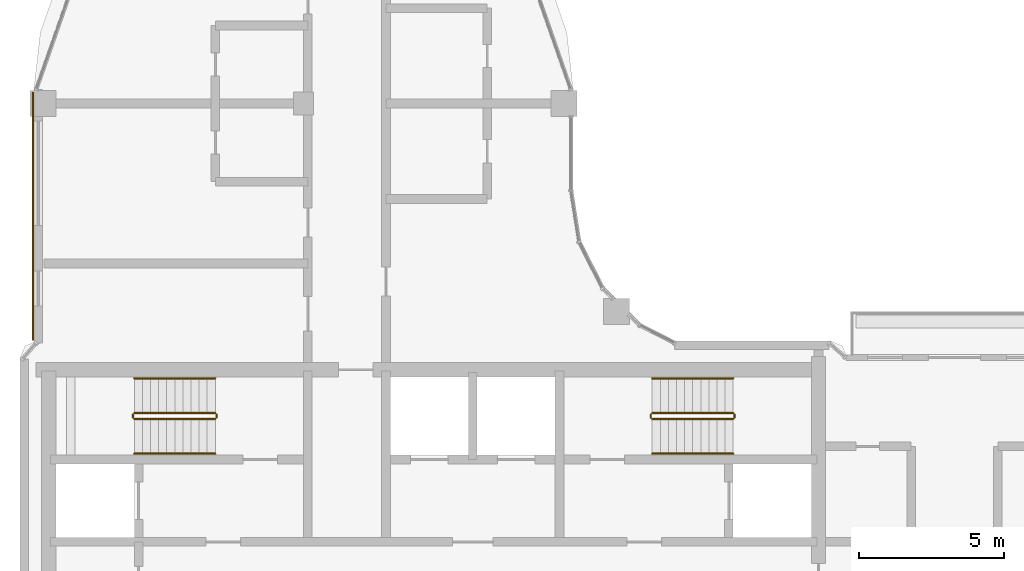
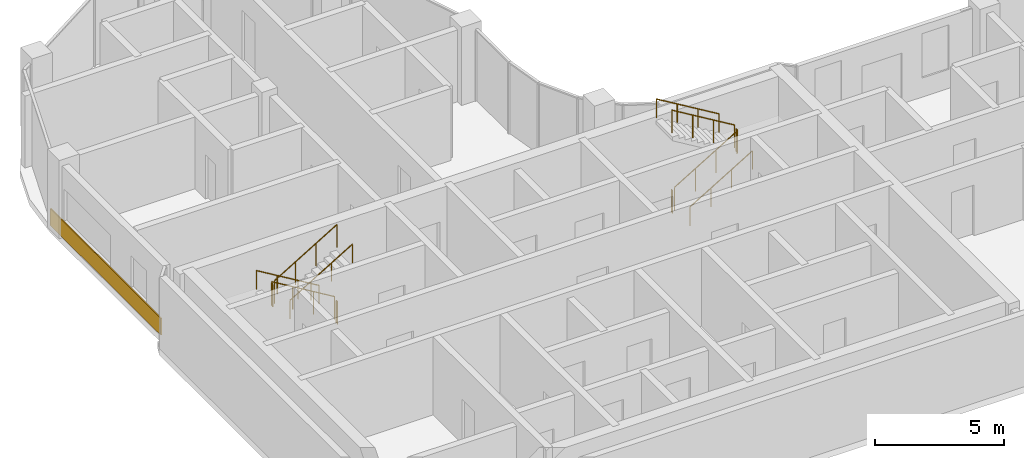
# One storey, part 16 of 19: 12 railings, 1 covering.
"""IFC4 building model written with IfcOpenShell, lengths in metres."""

import ifcopenshell
import ifcopenshell.guid

model = None  # the IFC model being written
_history = None  # IfcOwnerHistory: only IFC2X3 demands one
_inside = {}  # id of a spatial element -> (the spatial element, [elements in it])
_under = {}  # id of a project, library or spatial element -> (it, [spatial elements below it])
_declared = {}  # id of a project -> (the project, [libraries it declares])
_typed = {}  # id of a type object -> (the type object, [elements of that type])
_made_of = {}  # id of a material, layer set ... -> (it, [elements and type objects made of it])


def new_model(schema):
    """Start an empty IFC model of exactly this schema.

    Asked for "IFC4X3", IfcOpenShell would pick the latest addendum, in which some entities
    have other attributes; the version numbers below select the first issue.
    IFC2X3 requires an IfcOwnerHistory on every rooted entity: one is made here for all.
    """
    global model, _history
    if schema == "IFC4X3":
        model = ifcopenshell.file(schema_version=(4, 3, 0, 0))
    else:
        model = ifcopenshell.file(schema=schema)
    _inside.clear()
    _under.clear()
    _declared.clear()
    _typed.clear()
    _made_of.clear()
    _history = None
    if model.schema == "IFC2X3":
        org = make("IfcOrganization", Name="unknown")
        user = make(
            "IfcPersonAndOrganization",
            ThePerson=make("IfcPerson", FamilyName="unknown"),
            TheOrganization=org,
        )
        app = make(
            "IfcApplication",
            ApplicationDeveloper=org,
            Version="unknown",
            ApplicationFullName="unknown",
            ApplicationIdentifier="unknown",
        )
        _history = make(
            "IfcOwnerHistory",
            OwningUser=user,
            OwningApplication=app,
            ChangeAction="ADDED",
            CreationDate=0,
        )
    return model


def make(cls, **values):
    """One entity of the class cls with the attributes given. An attribute that is None is left unset."""
    return model.create_entity(
        cls, **{name: value for name, value in values.items() if value is not None}
    )


def rooted(cls, **values):
    """An entity with a GlobalId (a new one), such as an element, a storey or a relation."""
    return make(cls, GlobalId=ifcopenshell.guid.new(), OwnerHistory=_history, **values)


def si_unit(unit_type, name, prefix=None):
    """IfcSIUnit, for example si_unit("LENGTHUNIT", "METRE", prefix="MILLI")."""
    return make("IfcSIUnit", UnitType=unit_type, Prefix=prefix, Name=name)


def assignment(units):
    """IfcUnitAssignment: the units of a project."""
    return None if units is None else make("IfcUnitAssignment", Units=units)


def point(xyz):
    """IfcCartesianPoint."""
    return None if xyz is None else make("IfcCartesianPoint", Coordinates=xyz)


def direction(xyz):
    """IfcDirection."""
    return None if xyz is None else make("IfcDirection", DirectionRatios=xyz)


def frame(location, z_axis=None, x_axis=None):
    """IfcAxis2Placement3D, a coordinate frame: its origin and axes. An axis left out is left unset."""
    return make(
        "IfcAxis2Placement3D",
        Location=point(location),
        Axis=direction(z_axis),
        RefDirection=direction(x_axis),
    )


def frame_2d(location, x_axis=None):
    """IfcAxis2Placement2D, a coordinate frame in the plane: its origin and x axis."""
    return make(
        "IfcAxis2Placement2D", Location=point(location), RefDirection=direction(x_axis)
    )


def origin():
    """The frame at (0, 0, 0) with its axes left unset."""
    return frame((0.0, 0.0, 0.0))


def origin_2d():
    """The frame at (0, 0) in the plane with its x axis left unset."""
    return frame_2d((0.0, 0.0))


def place(relative_to, where):
    """IfcLocalPlacement: puts the frame where relative to a parent placement (None: the world)."""
    return make(
        "IfcLocalPlacement", PlacementRelTo=relative_to, RelativePlacement=where
    )


def context(
    kind, dimensions, precision=None, world=None, true_north=None, identifier=None
):
    """IfcGeometricRepresentationContext, for example the 3D "Model" context."""
    return make(
        "IfcGeometricRepresentationContext",
        ContextIdentifier=identifier,
        ContextType=kind,
        CoordinateSpaceDimension=dimensions,
        Precision=precision,
        WorldCoordinateSystem=world,
        TrueNorth=true_north,
    )


def subcontext(parent, identifier, kind, view, scale=None):
    """IfcGeometricRepresentationSubContext, for example "Body" below "Model"."""
    return make(
        "IfcGeometricRepresentationSubContext",
        ContextIdentifier=identifier,
        ContextType=kind,
        ParentContext=parent,
        TargetScale=scale,
        TargetView=view,
    )


def project(units=None, contexts=None):
    """IfcProject with its units and contexts."""
    return rooted(
        "IfcProject",
        Name="project",
        RepresentationContexts=contexts,
        UnitsInContext=assignment(units),
    )


def spatial(cls, under=None, at=None, **own):
    """A site, building, storey or space (cls), placed at a placement, below another one or the project."""
    s = rooted(cls, ObjectPlacement=at, **own)
    if under is not None:
        _under.setdefault(under.id(), (under, []))[1].append(s)
    return s


def profile(cls, at=None, kind="AREA", **sizes):
    """A parametric profile (cls). Its sizes go by their IFC names, for example OverallWidth=200.0."""
    return make(cls, ProfileType=kind, Position=at, **sizes)


def rectangle(**sizes):
    """IfcRectangleProfileDef."""
    return profile("IfcRectangleProfileDef", **sizes)


def circle(**sizes):
    """IfcCircleProfileDef."""
    return profile("IfcCircleProfileDef", **sizes)


def extrude(swept, where, along, depth):
    """IfcExtrudedAreaSolid: the profile swept, set in the frame where, extruded along a direction by depth."""
    return make(
        "IfcExtrudedAreaSolid",
        SweptArea=swept,
        Position=where,
        ExtrudedDirection=direction(along),
        Depth=depth,
    )


def shape(context_of_items, identifier, shape_type, items):
    """IfcShapeRepresentation: the items that make up one representation, for example the "Body"."""
    return make(
        "IfcShapeRepresentation",
        ContextOfItems=context_of_items,
        RepresentationIdentifier=identifier,
        RepresentationType=shape_type,
        Items=items,
    )


def material(Name=None, Category=None):
    """IfcMaterial."""
    return make("IfcMaterial", Name=Name, Category=Category)


def layer(
    of_material, thickness, ventilated=None, Name=None, Category=None, Priority=None
):
    """IfcMaterialLayer: one layer of a wall or slab, of a material (None: an air gap)."""
    return make(
        "IfcMaterialLayer",
        Material=of_material,
        LayerThickness=thickness,
        IsVentilated=ventilated,
        Name=Name,
        Category=Category,
        Priority=Priority,
    )


def layer_set(layers, Name=None):
    """IfcMaterialLayerSet."""
    return make("IfcMaterialLayerSet", MaterialLayers=layers, LayerSetName=Name)


def made_of(thing, what):
    """Note that an element or type object is made of a material, layer set ...; save() writes the relation."""
    if what is not None:
        _made_of.setdefault(what.id(), (what, []))[1].append(thing)
    return thing


def type_object(cls, material=None, **own):
    """A type object (cls), such as IfcWallType, which elements share."""
    return made_of(rooted(cls, **own), material)


def element(
    cls,
    number,
    at=None,
    inside=None,
    cuts=None,
    type_object=None,
    material=None,
    context=None,
    identifier="Body",
    shape_type=None,
    held_by="IfcProductDefinitionShape",
    body=None,
    shapes=None,
    **own,
):
    """One element of the class cls, such as IfcWall. Its Tag is "e" and its number.

    at: its placement. inside: the storey or other place that contains it. cuts: it is an
    opening in that element (IfcRelVoidsElement). A single representation is given by context,
    identifier, shape_type and body (its items); several are given by shapes. held_by: the class
    of the entity that holds the representations. save() writes the other relations.
    """
    e = rooted(cls, Tag="e%d" % number, ObjectPlacement=at, **own)
    if body is not None:
        shapes = [shape(context, identifier, shape_type, body)]
    if shapes is not None:
        e.Representation = make(held_by, Representations=shapes)
    if inside is not None:
        _inside.setdefault(inside.id(), (inside, []))[1].append(e)
    if cuts is not None:
        rooted(
            "IfcRelVoidsElement", RelatingBuildingElement=cuts, RelatedOpeningElement=e
        )
    if type_object is not None:
        _typed.setdefault(type_object.id(), (type_object, []))[1].append(e)
    return made_of(e, material)


def aggregate(whole, parts):
    """IfcRelAggregates: a whole, such as a stair, and the parts it consists of."""
    return rooted("IfcRelAggregates", RelatingObject=whole, RelatedObjects=parts)


def save(model, path):
    """Write the relations noted so far, then the file.

    IfcRelAggregates (storeys below a building ...), IfcRelContainedInSpatialStructure (elements
    in a storey), IfcRelDefinesByType, IfcRelAssociatesMaterial and IfcRelDeclares: one each for
    every whole, place, type object, material and project.
    """
    for whole, parts in _under.values():
        aggregate(whole, parts)
    for where, things in _inside.values():
        rooted(
            "IfcRelContainedInSpatialStructure",
            RelatedElements=things,
            RelatingStructure=where,
        )
    for kind, things in _typed.values():
        rooted("IfcRelDefinesByType", RelatedObjects=things, RelatingType=kind)
    for what, things in _made_of.values():
        rooted("IfcRelAssociatesMaterial", RelatedObjects=things, RelatingMaterial=what)
    for by, libraries in _declared.values():
        rooted("IfcRelDeclares", RelatingContext=by, RelatedDefinitions=libraries)
    model.write(path)


model = new_model("IFC4")

# Units and contexts
model_context = context("Model", 3, precision=1e-05, world=origin(), true_north=direction((0.0, 1.0)))
body_context = subcontext(model_context, "Body", "Model", "MODEL_VIEW")
ifc_project = project(units=[si_unit("LENGTHUNIT", "METRE"), si_unit("AREAUNIT", "SQUARE_METRE"), si_unit("VOLUMEUNIT", "CUBIC_METRE"), si_unit("PLANEANGLEUNIT", "RADIAN"), si_unit("MASSUNIT", "GRAM", prefix="KILO")], contexts=[model_context])

# Site, building, storey
site_placement = place(None, origin())
site = spatial("IfcSite", under=ifc_project, at=site_placement, CompositionType="ELEMENT")
building_placement = place(site_placement, origin())
building = spatial("IfcBuilding", under=site, at=building_placement, Name="Ogive Portal Towers", CompositionType="ELEMENT")
storey_placement = place(building_placement, frame((0.0, 0.0, 218.0)))
storey = spatial("IfcBuildingStorey", under=building, at=storey_placement, Name="L54", CompositionType="ELEMENT", Elevation=218.0)

# Railings
ifc_material_1 = material(Name="Stainless steel balustrade", Category="steel")
railing_type_1 = type_object("IfcRailingType", Name="INT-GUARD", PredefinedType="GUARDRAIL", material=ifc_material_1)
railing_1_placement = place(storey_placement, frame((37.449951171875, 37.800048828125, 0.168212890625)))
element("IfcRailing", 1, at=railing_1_placement, inside=storey, type_object=railing_type_1, Name="L54 ST-A1 stair guard 1", PredefinedType="GUARDRAIL", context=body_context, shape_type="SweptSolid", body=[
    extrude(circle(Radius=0.02392578125, at=origin_2d()), frame((0.0, 0.0, 1.076171875), z_axis=(-0.857242210791, 0.0, 0.514913383045), x_axis=(0.0, -1.0, 0.0)), (0.0, 0.0, 1.0), 3.266357421875),
    extrude(circle(Radius=0.02099609375, at=origin_2d()), origin(), (0.0, 0.0, 1.0), 1.052001953125),
    extrude(circle(Radius=0.02099609375, at=origin_2d()), frame((-0.933349609375, 0.0, 0.560546875)), (0.0, 0.0, 1.0), 1.052001953125),
    extrude(circle(Radius=0.02099609375, at=origin_2d()), frame((-1.86669921875, 0.0, 1.121337890625)), (0.0, 0.0, 1.0), 1.052001953125),
    extrude(circle(Radius=0.02099609375, at=origin_2d()), frame((-2.800048828125, 0.0, 1.681884765625)), (0.0, 0.0, 1.0), 1.052001953125),
])
railing_2_placement = place(storey_placement, frame((34.60009765625, 37.75, 1.85009765625)))
element("IfcRailing", 2, at=railing_2_placement, inside=storey, type_object=railing_type_1, Name="L54 ST-A1 stair guard 2", PredefinedType="GUARDRAIL", context=body_context, shape_type="SweptSolid", body=[
    extrude(circle(Radius=0.02392578125, at=origin_2d()), frame((0.0, 0.0, 1.076171875), z_axis=(0.0, -1.0, 0.0), x_axis=(1.0, 0.0, 0.0)), (0.0, 0.0, 1.0), 0.10009765625),
    extrude(circle(Radius=0.02099609375, at=origin_2d()), origin(), (0.0, 0.0, 1.0), 1.052001953125),
    extrude(circle(Radius=0.02099609375, at=origin_2d()), frame((0.0, -0.10009765625, 0.0)), (0.0, 0.0, 1.0), 1.052001953125),
])
railing_3_placement = place(storey_placement, frame((34.64990234375, 37.60009765625, 2.01806640625)))
element("IfcRailing", 3, at=railing_3_placement, inside=storey, type_object=railing_type_1, Name="L54 ST-A1 stair guard 3", PredefinedType="GUARDRAIL", context=body_context, shape_type="SweptSolid", body=[
    extrude(circle(Radius=0.02392578125, at=origin_2d()), frame((0.0, 0.0, 1.076171875), z_axis=(0.857242210791, 0.0, 0.514913383045), x_axis=(0.0, 1.0, 0.0)), (0.0, 0.0, 1.0), 3.266357421875),
    extrude(circle(Radius=0.02099609375, at=origin_2d()), origin(), (0.0, 0.0, 1.0), 1.052001953125),
    extrude(circle(Radius=0.02099609375, at=origin_2d()), frame((0.933349609375, 0.0, 0.560546875)), (0.0, 0.0, 1.0), 1.052001953125),
    extrude(circle(Radius=0.02099609375, at=origin_2d()), frame((1.86669921875, 0.0, 1.121337890625)), (0.0, 0.0, 1.0), 1.052001953125),
    extrude(circle(Radius=0.02099609375, at=origin_2d()), frame((2.800048828125, 0.0, 1.681884765625)), (0.0, 0.0, 1.0), 1.052001953125),
])
railing_4_placement = place(storey_placement, frame((37.5, 37.75, 0.0)))
element("IfcRailing", 4, at=railing_4_placement, inside=storey, type_object=railing_type_1, Name="L54 ST-A1 stair guard 4", PredefinedType="GUARDRAIL", context=body_context, shape_type="SweptSolid", body=[
    extrude(circle(Radius=0.02392578125, at=origin_2d()), frame((0.0, 0.0, 1.076171875), z_axis=(0.0, -1.0, 0.0), x_axis=(1.0, 0.0, 0.0)), (0.0, 0.0, 1.0), 0.10009765625),
    extrude(circle(Radius=0.02099609375, at=origin_2d()), origin(), (0.0, 0.0, 1.0), 1.052001953125),
    extrude(circle(Radius=0.02099609375, at=origin_2d()), frame((0.0, -0.10009765625, 0.0)), (0.0, 0.0, 1.0), 1.052001953125),
])
railing_5_placement = place(storey_placement, frame((52.550048828125, 37.60009765625, 0.168212890625)))
element("IfcRailing", 5, at=railing_5_placement, inside=storey, type_object=railing_type_1, Name="L54 ST-A2 stair guard 1", PredefinedType="GUARDRAIL", context=body_context, shape_type="SweptSolid", body=[
    extrude(circle(Radius=0.02392578125, at=origin_2d()), frame((0.0, 0.0, 1.076171875), z_axis=(0.857242210791, 0.0, 0.514913383045), x_axis=(0.0, 1.0, 0.0)), (0.0, 0.0, 1.0), 3.266357421875),
    extrude(circle(Radius=0.02099609375, at=origin_2d()), origin(), (0.0, 0.0, 1.0), 1.052001953125),
    extrude(circle(Radius=0.02099609375, at=origin_2d()), frame((0.933349609375, 0.0, 0.560546875)), (0.0, 0.0, 1.0), 1.052001953125),
    extrude(circle(Radius=0.02099609375, at=origin_2d()), frame((1.86669921875, 0.0, 1.121337890625)), (0.0, 0.0, 1.0), 1.052001953125),
    extrude(circle(Radius=0.02099609375, at=origin_2d()), frame((2.800048828125, 0.0, 1.681884765625)), (0.0, 0.0, 1.0), 1.052001953125),
])
railing_6_placement = place(storey_placement, frame((55.39990234375, 37.64990234375, 1.85009765625)))
element("IfcRailing", 6, at=railing_6_placement, inside=storey, type_object=railing_type_1, Name="L54 ST-A2 stair guard 2", PredefinedType="GUARDRAIL", context=body_context, shape_type="SweptSolid", body=[
    extrude(circle(Radius=0.02392578125, at=origin_2d()), frame((0.0, 0.0, 1.076171875), z_axis=(0.0, 1.0, 0.0), x_axis=(-1.0, 0.0, 0.0)), (0.0, 0.0, 1.0), 0.10009765625),
    extrude(circle(Radius=0.02099609375, at=origin_2d()), origin(), (0.0, 0.0, 1.0), 1.052001953125),
    extrude(circle(Radius=0.02099609375, at=origin_2d()), frame((0.0, 0.10009765625, 0.0)), (0.0, 0.0, 1.0), 1.052001953125),
])
railing_7_placement = place(storey_placement, frame((55.35009765625, 37.800048828125, 2.01806640625)))
element("IfcRailing", 7, at=railing_7_placement, inside=storey, type_object=railing_type_1, Name="L54 ST-A2 stair guard 3", PredefinedType="GUARDRAIL", context=body_context, shape_type="SweptSolid", body=[
    extrude(circle(Radius=0.02392578125, at=origin_2d()), frame((0.0, 0.0, 1.076171875), z_axis=(-0.857242210791, 0.0, 0.514913383045), x_axis=(0.0, -1.0, 0.0)), (0.0, 0.0, 1.0), 3.266357421875),
    extrude(circle(Radius=0.02099609375, at=origin_2d()), origin(), (0.0, 0.0, 1.0), 1.052001953125),
    extrude(circle(Radius=0.02099609375, at=origin_2d()), frame((-0.933349609375, 0.0, 0.560546875)), (0.0, 0.0, 1.0), 1.052001953125),
    extrude(circle(Radius=0.02099609375, at=origin_2d()), frame((-1.86669921875, 0.0, 1.121337890625)), (0.0, 0.0, 1.0), 1.052001953125),
    extrude(circle(Radius=0.02099609375, at=origin_2d()), frame((-2.800048828125, 0.0, 1.681884765625)), (0.0, 0.0, 1.0), 1.052001953125),
])
railing_8_placement = place(storey_placement, frame((52.5, 37.64990234375, 0.0)))
element("IfcRailing", 8, at=railing_8_placement, inside=storey, type_object=railing_type_1, Name="L54 ST-A2 stair guard 4", PredefinedType="GUARDRAIL", context=body_context, shape_type="SweptSolid", body=[
    extrude(circle(Radius=0.02392578125, at=origin_2d()), frame((0.0, 0.0, 1.076171875), z_axis=(0.0, 1.0, 0.0), x_axis=(-1.0, 0.0, 0.0)), (0.0, 0.0, 1.0), 0.10009765625),
    extrude(circle(Radius=0.02099609375, at=origin_2d()), origin(), (0.0, 0.0, 1.0), 1.052001953125),
    extrude(circle(Radius=0.02099609375, at=origin_2d()), frame((0.0, 0.10009765625, 0.0)), (0.0, 0.0, 1.0), 1.052001953125),
])
ifc_material_2 = material(Name="Stainless steel handrail", Category="steel")
railing_type_2 = type_object("IfcRailingType", Name="INT-HANDRAIL", PredefinedType="HANDRAIL", material=ifc_material_2)
railing_9_placement = place(storey_placement, frame((37.449951171875, 39.0, 0.168212890625)))
element("IfcRailing", 9, at=railing_9_placement, inside=storey, type_object=railing_type_2, Name="L54 ST-A1 stair handrail 1", PredefinedType="HANDRAIL", context=body_context, shape_type="SweptSolid", body=[
    extrude(circle(Radius=0.02392578125, at=origin_2d()), frame((0.0, 0.0, 0.8759765625), z_axis=(-0.857242210791, 0.0, 0.514913383045), x_axis=(0.0, -1.0, 0.0)), (0.0, 0.0, 1.0), 3.266357421875),
    extrude(circle(Radius=0.02099609375, at=origin_2d()), origin(), (0.0, 0.0, 1.0), 0.851806640625),
    extrude(circle(Radius=0.02099609375, at=origin_2d()), frame((-0.933349609375, 0.0, 0.560546875)), (0.0, 0.0, 1.0), 0.851806640625),
    extrude(circle(Radius=0.02099609375, at=origin_2d()), frame((-1.86669921875, 0.0, 1.121337890625)), (0.0, 0.0, 1.0), 0.851806640625),
    extrude(circle(Radius=0.02099609375, at=origin_2d()), frame((-2.800048828125, 0.0, 1.681884765625)), (0.0, 0.0, 1.0), 0.851806640625),
])
for number, where, name in (
    (10, (34.64990234375, 36.39990234375, 2.01806640625), "L54 ST-A1 stair handrail 2"),
    (11, (52.550048828125, 36.39990234375, 0.168212890625), "L54 ST-A2 stair handrail 1"),
):
    element("IfcRailing", number, at=place(storey_placement, frame(where)), inside=storey, type_object=railing_type_2, Name=name, PredefinedType="HANDRAIL", context=body_context, shape_type="SweptSolid", body=[
        extrude(circle(Radius=0.02392578125, at=origin_2d()), frame((0.0, 0.0, 0.8759765625), z_axis=(0.857242210791, 0.0, 0.514913383045), x_axis=(0.0, 1.0, 0.0)), (0.0, 0.0, 1.0), 3.266357421875),
        extrude(circle(Radius=0.02099609375, at=origin_2d()), origin(), (0.0, 0.0, 1.0), 0.851806640625),
        extrude(circle(Radius=0.02099609375, at=origin_2d()), frame((0.933349609375, 0.0, 0.560546875)), (0.0, 0.0, 1.0), 0.851806640625),
        extrude(circle(Radius=0.02099609375, at=origin_2d()), frame((1.86669921875, 0.0, 1.121337890625)), (0.0, 0.0, 1.0), 0.851806640625),
        extrude(circle(Radius=0.02099609375, at=origin_2d()), frame((2.800048828125, 0.0, 1.681884765625)), (0.0, 0.0, 1.0), 0.851806640625),
    ])
railing_10_placement = place(storey_placement, frame((55.35009765625, 39.0, 2.01806640625)))
element("IfcRailing", 12, at=railing_10_placement, inside=storey, type_object=railing_type_2, Name="L54 ST-A2 stair handrail 2", PredefinedType="HANDRAIL", context=body_context, shape_type="SweptSolid", body=[
    extrude(circle(Radius=0.02392578125, at=origin_2d()), frame((0.0, 0.0, 0.8759765625), z_axis=(-0.857242210791, 0.0, 0.514913383045), x_axis=(0.0, -1.0, 0.0)), (0.0, 0.0, 1.0), 3.266357421875),
    extrude(circle(Radius=0.02099609375, at=origin_2d()), origin(), (0.0, 0.0, 1.0), 0.851806640625),
    extrude(circle(Radius=0.02099609375, at=origin_2d()), frame((-0.933349609375, 0.0, 0.560546875)), (0.0, 0.0, 1.0), 0.851806640625),
    extrude(circle(Radius=0.02099609375, at=origin_2d()), frame((-1.86669921875, 0.0, 1.121337890625)), (0.0, 0.0, 1.0), 0.851806640625),
    extrude(circle(Radius=0.02099609375, at=origin_2d()), frame((-2.800048828125, 0.0, 1.681884765625)), (0.0, 0.0, 1.0), 0.851806640625),
])

# Covering
ifc_material_3 = material(Name="Limestone cladding on lightweight block wall", Category="masonry")
ifc_layer = layer(ifc_material_3, 0.050048828125)
ifc_layer_set = layer_set([ifc_layer], Name="SCREEN PERFORATED STONE")
covering_type = type_object("IfcCoveringType", Name="SCREEN PERFORATED STONE", PredefinedType="CLADDING", material=ifc_layer_set)
covering_placement = place(storey_placement, frame((31.155029296875, 44.603271484375, 0.10009765625), z_axis=(0.0, 0.0, 1.0), x_axis=(0.0, -1.0, 0.0)))
element("IfcCovering", 13, at=covering_placement, inside=storey, type_object=covering_type, Name="Tracery screen", PredefinedType="CLADDING", context=body_context, shape_type="SweptSolid", body=[
    extrude(rectangle(XDim=8.566162109375, YDim=0.050048828125, at=origin_2d()), origin(), (0.0, 0.0, 1.0), 0.800048828125),
])

save(model, "model.ifc")
